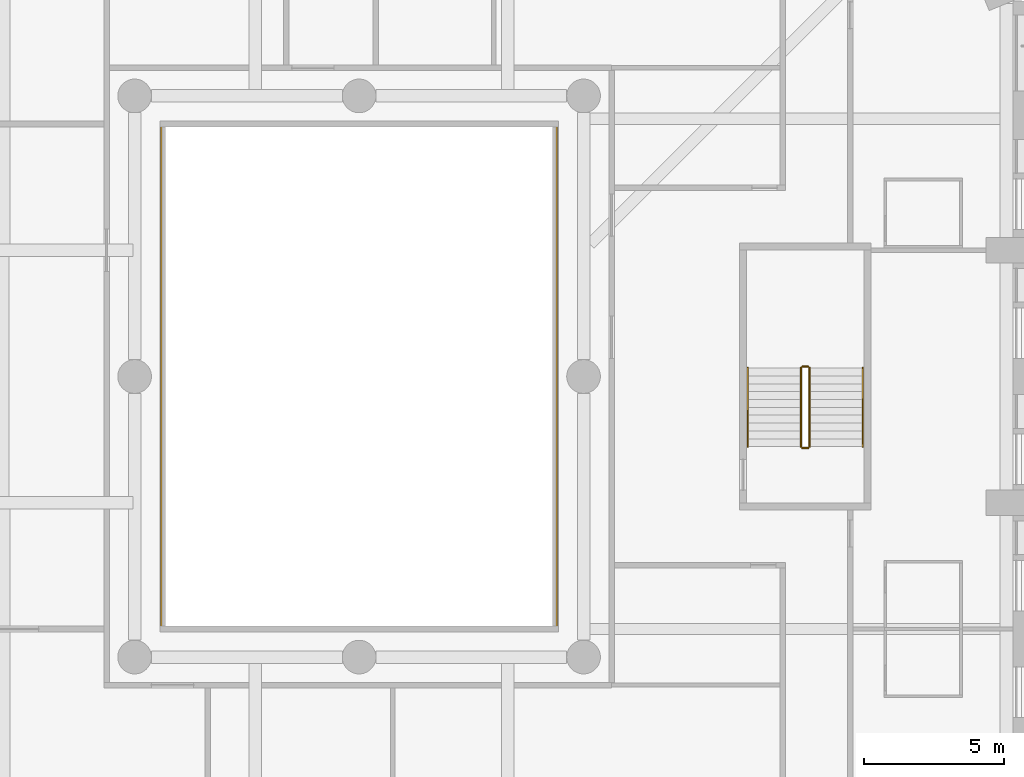
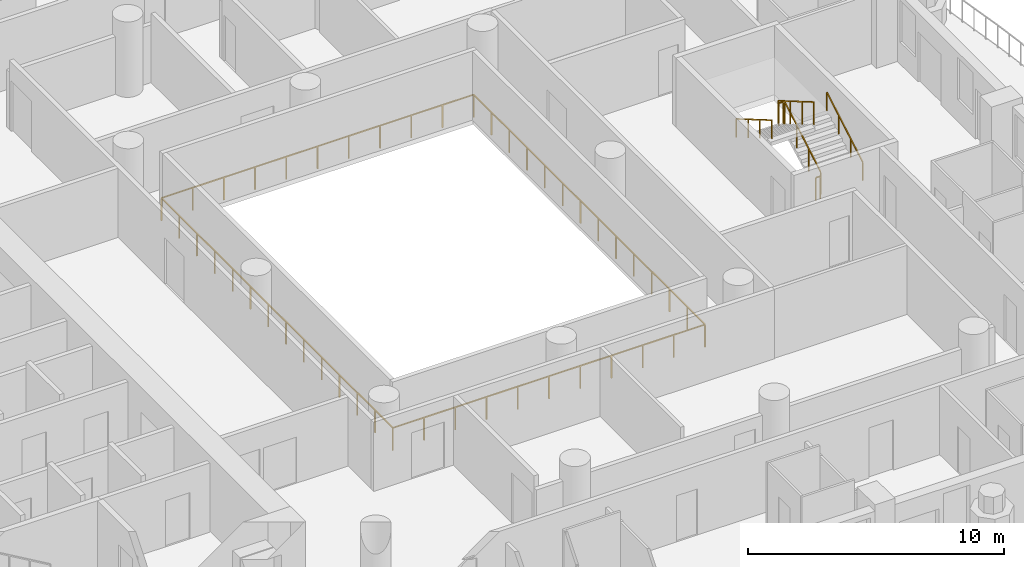
# One storey, part 14 of 19: 7 railings.
"""IFC4 building model written with IfcOpenShell, lengths in metres."""

from ifc_helpers import new_model, si_unit, direction, frame, origin, origin_2d, place, context, subcontext, project, spatial, rectangle, extrude, material, type_object, element, save


model = new_model("IFC4")

# Units and contexts
model_context = context("Model", 3, precision=1e-05, world=origin(), true_north=direction((0.0, 1.0)))
body_context = subcontext(model_context, "Body", "Model", "MODEL_VIEW")
ifc_project = project(units=[si_unit("LENGTHUNIT", "METRE"), si_unit("AREAUNIT", "SQUARE_METRE"), si_unit("VOLUMEUNIT", "CUBIC_METRE"), si_unit("PLANEANGLEUNIT", "RADIAN"), si_unit("MASSUNIT", "GRAM", prefix="KILO")], contexts=[model_context])

# Site, building, storey
site_placement = place(None, origin())
site = spatial("IfcSite", under=ifc_project, at=site_placement, CompositionType="ELEMENT")
building_placement = place(site_placement, origin())
building = spatial("IfcBuilding", under=site, at=building_placement, Name="Cypress Arch Tower", CompositionType="ELEMENT")
storey_placement = place(building_placement, frame((0.0, 0.0, 98.699951171875)))
storey = spatial("IfcBuildingStorey", under=building, at=storey_placement, Name="L19", CompositionType="ELEMENT", Elevation=98.699951171875)

# Railings
ifc_material_1 = material(Name="Stainless steel posts and handrail, laminated glass infill", Category="steel")
railing_type_1 = type_object("IfcRailingType", Name="Atrium guard GR1100A", PredefinedType="GUARDRAIL", material=ifc_material_1)
railing_1_placement = place(storey_placement, frame((8.050048828125, -9.050048828125, 0.0)))
element("IfcRailing", 1, at=railing_1_placement, inside=storey, type_object=railing_type_1, Name="Atrium guard L19", PredefinedType="GUARDRAIL", context=body_context, shape_type="SweptSolid", body=[
    extrude(rectangle(XDim=0.050048828125, YDim=0.050048828125, at=origin_2d()), frame((0.0, 0.0, 1.0751953125), z_axis=(-1.0, 0.0, 0.0), x_axis=(0.0, -1.0, 0.0)), (0.0, 0.0, 1.0), 14.10009765625),
    extrude(rectangle(XDim=0.050048828125, YDim=0.050048828125, at=origin_2d()), frame((-14.10009765625, 0.0, 1.0751953125), z_axis=(0.0, 1.0, 0.0), x_axis=(-1.0, 0.0, 0.0)), (0.0, 0.0, 1.0), 18.10009765625),
    extrude(rectangle(XDim=0.050048828125, YDim=0.050048828125, at=origin_2d()), frame((-14.10009765625, 18.10009765625, 1.0751953125), z_axis=(1.0, 0.0, 0.0), x_axis=(0.0, 1.0, 0.0)), (0.0, 0.0, 1.0), 14.10009765625),
    extrude(rectangle(XDim=0.050048828125, YDim=0.050048828125, at=origin_2d()), frame((0.0, 18.10009765625, 1.0751953125), z_axis=(0.0, -1.0, 0.0), x_axis=(1.0, 0.0, 0.0)), (0.0, 0.0, 1.0), 18.10009765625),
    extrude(rectangle(XDim=0.050048828125, YDim=0.050048828125, at=origin_2d()), origin(), (0.0, 0.0, 1.0), 1.050048828125),
    extrude(rectangle(XDim=0.050048828125, YDim=0.050048828125, at=origin_2d()), frame((-1.409912109375, 0.0, 0.0)), (0.0, 0.0, 1.0), 1.050048828125),
    extrude(rectangle(XDim=0.050048828125, YDim=0.050048828125, at=origin_2d()), frame((-2.820068359375, 0.0, 0.0)), (0.0, 0.0, 1.0), 1.050048828125),
    extrude(rectangle(XDim=0.050048828125, YDim=0.050048828125, at=origin_2d()), frame((-4.22998046875, 0.0, 0.0)), (0.0, 0.0, 1.0), 1.050048828125),
    extrude(rectangle(XDim=0.050048828125, YDim=0.050048828125, at=origin_2d()), frame((-5.64013671875, 0.0, 0.0)), (0.0, 0.0, 1.0), 1.050048828125),
    extrude(rectangle(XDim=0.050048828125, YDim=0.050048828125, at=origin_2d()), frame((-7.050048828125, 0.0, 0.0)), (0.0, 0.0, 1.0), 1.050048828125),
    extrude(rectangle(XDim=0.050048828125, YDim=0.050048828125, at=origin_2d()), frame((-8.4599609375, 0.0, 0.0)), (0.0, 0.0, 1.0), 1.050048828125),
    extrude(rectangle(XDim=0.050048828125, YDim=0.050048828125, at=origin_2d()), frame((-9.8701171875, 0.0, 0.0)), (0.0, 0.0, 1.0), 1.050048828125),
    extrude(rectangle(XDim=0.050048828125, YDim=0.050048828125, at=origin_2d()), frame((-11.280029296875, 0.0, 0.0)), (0.0, 0.0, 1.0), 1.050048828125),
    extrude(rectangle(XDim=0.050048828125, YDim=0.050048828125, at=origin_2d()), frame((-12.690185546875, 0.0, 0.0)), (0.0, 0.0, 1.0), 1.050048828125),
    extrude(rectangle(XDim=0.050048828125, YDim=0.050048828125, at=origin_2d()), frame((-14.10009765625, 0.0, 0.0)), (0.0, 0.0, 1.0), 1.050048828125),
    extrude(rectangle(XDim=0.050048828125, YDim=0.050048828125, at=origin_2d()), frame((-14.10009765625, 1.392333984375, 0.0)), (0.0, 0.0, 1.0), 1.050048828125),
    extrude(rectangle(XDim=0.050048828125, YDim=0.050048828125, at=origin_2d()), frame((-14.10009765625, 2.78466796875, 0.0)), (0.0, 0.0, 1.0), 1.050048828125),
    extrude(rectangle(XDim=0.050048828125, YDim=0.050048828125, at=origin_2d()), frame((-14.10009765625, 4.177001953125, 0.0)), (0.0, 0.0, 1.0), 1.050048828125),
    extrude(rectangle(XDim=0.050048828125, YDim=0.050048828125, at=origin_2d()), frame((-14.10009765625, 5.5693359375, 0.0)), (0.0, 0.0, 1.0), 1.050048828125),
    extrude(rectangle(XDim=0.050048828125, YDim=0.050048828125, at=origin_2d()), frame((-14.10009765625, 6.961669921875, 0.0)), (0.0, 0.0, 1.0), 1.050048828125),
    extrude(rectangle(XDim=0.050048828125, YDim=0.050048828125, at=origin_2d()), frame((-14.10009765625, 8.35400390625, 0.0)), (0.0, 0.0, 1.0), 1.050048828125),
    extrude(rectangle(XDim=0.050048828125, YDim=0.050048828125, at=origin_2d()), frame((-14.10009765625, 9.74609375, 0.0)), (0.0, 0.0, 1.0), 1.050048828125),
    extrude(rectangle(XDim=0.050048828125, YDim=0.050048828125, at=origin_2d()), frame((-14.10009765625, 11.138427734375, 0.0)), (0.0, 0.0, 1.0), 1.050048828125),
    extrude(rectangle(XDim=0.050048828125, YDim=0.050048828125, at=origin_2d()), frame((-14.10009765625, 12.53076171875, 0.0)), (0.0, 0.0, 1.0), 1.050048828125),
    extrude(rectangle(XDim=0.050048828125, YDim=0.050048828125, at=origin_2d()), frame((-14.10009765625, 13.923095703125, 0.0)), (0.0, 0.0, 1.0), 1.050048828125),
    extrude(rectangle(XDim=0.050048828125, YDim=0.050048828125, at=origin_2d()), frame((-14.10009765625, 15.3154296875, 0.0)), (0.0, 0.0, 1.0), 1.050048828125),
    extrude(rectangle(XDim=0.050048828125, YDim=0.050048828125, at=origin_2d()), frame((-14.10009765625, 16.707763671875, 0.0)), (0.0, 0.0, 1.0), 1.050048828125),
    extrude(rectangle(XDim=0.050048828125, YDim=0.050048828125, at=origin_2d()), frame((-14.10009765625, 18.10009765625, 0.0)), (0.0, 0.0, 1.0), 1.050048828125),
    extrude(rectangle(XDim=0.050048828125, YDim=0.050048828125, at=origin_2d()), frame((-12.690185546875, 18.10009765625, 0.0)), (0.0, 0.0, 1.0), 1.050048828125),
    extrude(rectangle(XDim=0.050048828125, YDim=0.050048828125, at=origin_2d()), frame((-11.280029296875, 18.10009765625, 0.0)), (0.0, 0.0, 1.0), 1.050048828125),
    extrude(rectangle(XDim=0.050048828125, YDim=0.050048828125, at=origin_2d()), frame((-9.8701171875, 18.10009765625, 0.0)), (0.0, 0.0, 1.0), 1.050048828125),
    extrude(rectangle(XDim=0.050048828125, YDim=0.050048828125, at=origin_2d()), frame((-8.4599609375, 18.10009765625, 0.0)), (0.0, 0.0, 1.0), 1.050048828125),
    extrude(rectangle(XDim=0.050048828125, YDim=0.050048828125, at=origin_2d()), frame((-7.050048828125, 18.10009765625, 0.0)), (0.0, 0.0, 1.0), 1.050048828125),
    extrude(rectangle(XDim=0.050048828125, YDim=0.050048828125, at=origin_2d()), frame((-5.64013671875, 18.10009765625, 0.0)), (0.0, 0.0, 1.0), 1.050048828125),
    extrude(rectangle(XDim=0.050048828125, YDim=0.050048828125, at=origin_2d()), frame((-4.22998046875, 18.10009765625, 0.0)), (0.0, 0.0, 1.0), 1.050048828125),
    extrude(rectangle(XDim=0.050048828125, YDim=0.050048828125, at=origin_2d()), frame((-2.820068359375, 18.10009765625, 0.0)), (0.0, 0.0, 1.0), 1.050048828125),
    extrude(rectangle(XDim=0.050048828125, YDim=0.050048828125, at=origin_2d()), frame((-1.409912109375, 18.10009765625, 0.0)), (0.0, 0.0, 1.0), 1.050048828125),
    extrude(rectangle(XDim=0.050048828125, YDim=0.050048828125, at=origin_2d()), frame((0.0, 18.10009765625, 0.0)), (0.0, 0.0, 1.0), 1.050048828125),
    extrude(rectangle(XDim=0.050048828125, YDim=0.050048828125, at=origin_2d()), frame((0.0, 16.707763671875, 0.0)), (0.0, 0.0, 1.0), 1.050048828125),
    extrude(rectangle(XDim=0.050048828125, YDim=0.050048828125, at=origin_2d()), frame((0.0, 15.3154296875, 0.0)), (0.0, 0.0, 1.0), 1.050048828125),
    extrude(rectangle(XDim=0.050048828125, YDim=0.050048828125, at=origin_2d()), frame((0.0, 13.923095703125, 0.0)), (0.0, 0.0, 1.0), 1.050048828125),
    extrude(rectangle(XDim=0.050048828125, YDim=0.050048828125, at=origin_2d()), frame((0.0, 12.53076171875, 0.0)), (0.0, 0.0, 1.0), 1.050048828125),
    extrude(rectangle(XDim=0.050048828125, YDim=0.050048828125, at=origin_2d()), frame((0.0, 11.138427734375, 0.0)), (0.0, 0.0, 1.0), 1.050048828125),
    extrude(rectangle(XDim=0.050048828125, YDim=0.050048828125, at=origin_2d()), frame((0.0, 9.74609375, 0.0)), (0.0, 0.0, 1.0), 1.050048828125),
    extrude(rectangle(XDim=0.050048828125, YDim=0.050048828125, at=origin_2d()), frame((0.0, 8.35400390625, 0.0)), (0.0, 0.0, 1.0), 1.050048828125),
    extrude(rectangle(XDim=0.050048828125, YDim=0.050048828125, at=origin_2d()), frame((0.0, 6.961669921875, 0.0)), (0.0, 0.0, 1.0), 1.050048828125),
    extrude(rectangle(XDim=0.050048828125, YDim=0.050048828125, at=origin_2d()), frame((0.0, 5.5693359375, 0.0)), (0.0, 0.0, 1.0), 1.050048828125),
    extrude(rectangle(XDim=0.050048828125, YDim=0.050048828125, at=origin_2d()), frame((0.0, 4.177001953125, 0.0)), (0.0, 0.0, 1.0), 1.050048828125),
    extrude(rectangle(XDim=0.050048828125, YDim=0.050048828125, at=origin_2d()), frame((0.0, 2.78466796875, 0.0)), (0.0, 0.0, 1.0), 1.050048828125),
    extrude(rectangle(XDim=0.050048828125, YDim=0.050048828125, at=origin_2d()), frame((0.0, 1.392333984375, 0.0)), (0.0, 0.0, 1.0), 1.050048828125),
])
ifc_material_2 = material(Name="Black powder-coated steel square bar 48 mm", Category="steel")
railing_type_2 = type_object("IfcRailingType", Name="Stair handrail HR1", PredefinedType="HANDRAIL", material=ifc_material_2)
railing_2_placement = place(storey_placement, frame((18.949951171875, -2.5, 0.16357421875)))
element("IfcRailing", 2, at=railing_2_placement, inside=storey, type_object=railing_type_2, Name="L19 C stair handrail 1", PredefinedType="HANDRAIL", context=body_context, shape_type="SweptSolid", body=[
    extrude(rectangle(XDim=0.048095703125, YDim=0.048095703125, at=origin_2d()), frame((0.0, 0.0, 0.8759765625), z_axis=(0.0, 0.863360870873, 0.504586966384), x_axis=(-1.0, 0.0, 0.0)), (0.0, 0.0, 1.0), 3.2431640625),
    extrude(rectangle(XDim=0.0419921875, YDim=0.0419921875, at=origin_2d()), origin(), (0.0, 0.0, 1.0), 0.851806640625),
    extrude(rectangle(XDim=0.0419921875, YDim=0.0419921875, at=origin_2d()), frame((0.0, 0.933349609375, 0.54541015625)), (0.0, 0.0, 1.0), 0.851806640625),
    extrude(rectangle(XDim=0.0419921875, YDim=0.0419921875, at=origin_2d()), frame((0.0, 1.86669921875, 1.091064453125)), (0.0, 0.0, 1.0), 0.851806640625),
    extrude(rectangle(XDim=0.0419921875, YDim=0.0419921875, at=origin_2d()), frame((0.0, 2.800048828125, 1.636474609375)), (0.0, 0.0, 1.0), 0.851806640625),
])
railing_3_placement = place(storey_placement, frame((14.85009765625, 0.300048828125, 1.963623046875)))
element("IfcRailing", 3, at=railing_3_placement, inside=storey, type_object=railing_type_2, Name="L19 C stair handrail 2", PredefinedType="HANDRAIL", context=body_context, shape_type="SweptSolid", body=[
    extrude(rectangle(XDim=0.048095703125, YDim=0.048095703125, at=origin_2d()), frame((0.0, 0.0, 0.8759765625), z_axis=(0.0, -0.863360870873, 0.504586966384), x_axis=(1.0, 0.0, 0.0)), (0.0, 0.0, 1.0), 3.2431640625),
    extrude(rectangle(XDim=0.0419921875, YDim=0.0419921875, at=origin_2d()), origin(), (0.0, 0.0, 1.0), 0.851806640625),
    extrude(rectangle(XDim=0.0419921875, YDim=0.0419921875, at=origin_2d()), frame((0.0, -0.933349609375, 0.54541015625)), (0.0, 0.0, 1.0), 0.851806640625),
    extrude(rectangle(XDim=0.0419921875, YDim=0.0419921875, at=origin_2d()), frame((0.0, -1.86669921875, 1.091064453125)), (0.0, 0.0, 1.0), 0.851806640625),
    extrude(rectangle(XDim=0.0419921875, YDim=0.0419921875, at=origin_2d()), frame((0.0, -2.800048828125, 1.636474609375)), (0.0, 0.0, 1.0), 0.851806640625),
])
ifc_material_3 = material(Name="Black powder-coated steel balusters", Category="steel")
railing_type_3 = type_object("IfcRailingType", Name="Stair well guard G1", PredefinedType="GUARDRAIL", material=ifc_material_3)
railing_4_placement = place(storey_placement, frame((17.050048828125, -2.5, 0.16357421875)))
element("IfcRailing", 4, at=railing_4_placement, inside=storey, type_object=railing_type_3, Name="L19 C stair guard 1", PredefinedType="GUARDRAIL", context=body_context, shape_type="SweptSolid", body=[
    extrude(rectangle(XDim=0.048095703125, YDim=0.048095703125, at=origin_2d()), frame((0.0, 0.0, 1.076171875), z_axis=(0.0, 0.863360870873, 0.504586966384), x_axis=(-1.0, 0.0, 0.0)), (0.0, 0.0, 1.0), 3.2431640625),
    extrude(rectangle(XDim=0.0419921875, YDim=0.0419921875, at=origin_2d()), origin(), (0.0, 0.0, 1.0), 1.052001953125),
    extrude(rectangle(XDim=0.0419921875, YDim=0.0419921875, at=origin_2d()), frame((0.0, 0.933349609375, 0.54541015625)), (0.0, 0.0, 1.0), 1.052001953125),
    extrude(rectangle(XDim=0.0419921875, YDim=0.0419921875, at=origin_2d()), frame((0.0, 1.86669921875, 1.091064453125)), (0.0, 0.0, 1.0), 1.052001953125),
    extrude(rectangle(XDim=0.0419921875, YDim=0.0419921875, at=origin_2d()), frame((0.0, 2.800048828125, 1.636474609375)), (0.0, 0.0, 1.0), 1.052001953125),
])
railing_5_placement = place(storey_placement, frame((17.0, 0.35009765625, 1.800048828125)))
element("IfcRailing", 5, at=railing_5_placement, inside=storey, type_object=railing_type_3, Name="L19 C stair guard 2", PredefinedType="GUARDRAIL", context=body_context, shape_type="SweptSolid", body=[
    extrude(rectangle(XDim=0.048095703125, YDim=0.048095703125, at=origin_2d()), frame((0.0, 0.0, 1.076171875), z_axis=(-1.0, 0.0, 0.0), x_axis=(0.0, -1.0, 0.0)), (0.0, 0.0, 1.0), 0.199951171875),
    extrude(rectangle(XDim=0.0419921875, YDim=0.0419921875, at=origin_2d()), origin(), (0.0, 0.0, 1.0), 1.052001953125),
    extrude(rectangle(XDim=0.0419921875, YDim=0.0419921875, at=origin_2d()), frame((-0.199951171875, 0.0, 0.0)), (0.0, 0.0, 1.0), 1.052001953125),
])
railing_6_placement = place(storey_placement, frame((16.75, 0.300048828125, 1.963623046875)))
element("IfcRailing", 6, at=railing_6_placement, inside=storey, type_object=railing_type_3, Name="L19 C stair guard 3", PredefinedType="GUARDRAIL", context=body_context, shape_type="SweptSolid", body=[
    extrude(rectangle(XDim=0.048095703125, YDim=0.048095703125, at=origin_2d()), frame((0.0, 0.0, 1.076171875), z_axis=(0.0, -0.863360870873, 0.504586966384), x_axis=(1.0, 0.0, 0.0)), (0.0, 0.0, 1.0), 3.2431640625),
    extrude(rectangle(XDim=0.0419921875, YDim=0.0419921875, at=origin_2d()), origin(), (0.0, 0.0, 1.0), 1.052001953125),
    extrude(rectangle(XDim=0.0419921875, YDim=0.0419921875, at=origin_2d()), frame((0.0, -0.933349609375, 0.54541015625)), (0.0, 0.0, 1.0), 1.052001953125),
    extrude(rectangle(XDim=0.0419921875, YDim=0.0419921875, at=origin_2d()), frame((0.0, -1.86669921875, 1.091064453125)), (0.0, 0.0, 1.0), 1.052001953125),
    extrude(rectangle(XDim=0.0419921875, YDim=0.0419921875, at=origin_2d()), frame((0.0, -2.800048828125, 1.636474609375)), (0.0, 0.0, 1.0), 1.052001953125),
])
railing_7_placement = place(storey_placement, frame((17.0, -2.550048828125, 0.0)))
element("IfcRailing", 7, at=railing_7_placement, inside=storey, type_object=railing_type_3, Name="L19 C stair guard 4", PredefinedType="GUARDRAIL", context=body_context, shape_type="SweptSolid", body=[
    extrude(rectangle(XDim=0.048095703125, YDim=0.048095703125, at=origin_2d()), frame((0.0, 0.0, 1.076171875), z_axis=(-1.0, 0.0, 0.0), x_axis=(0.0, -1.0, 0.0)), (0.0, 0.0, 1.0), 0.199951171875),
    extrude(rectangle(XDim=0.0419921875, YDim=0.0419921875, at=origin_2d()), origin(), (0.0, 0.0, 1.0), 1.052001953125),
    extrude(rectangle(XDim=0.0419921875, YDim=0.0419921875, at=origin_2d()), frame((-0.199951171875, 0.0, 0.0)), (0.0, 0.0, 1.0), 1.052001953125),
])

save(model, "model.ifc")
